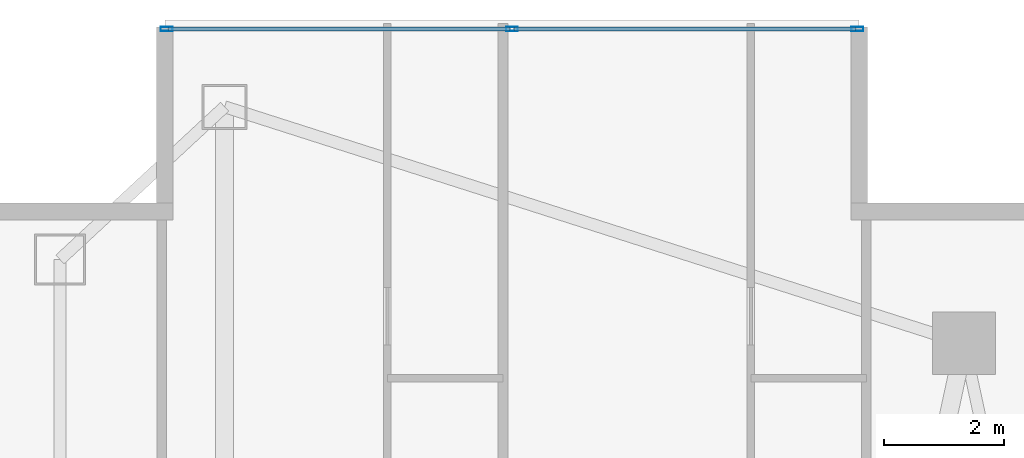
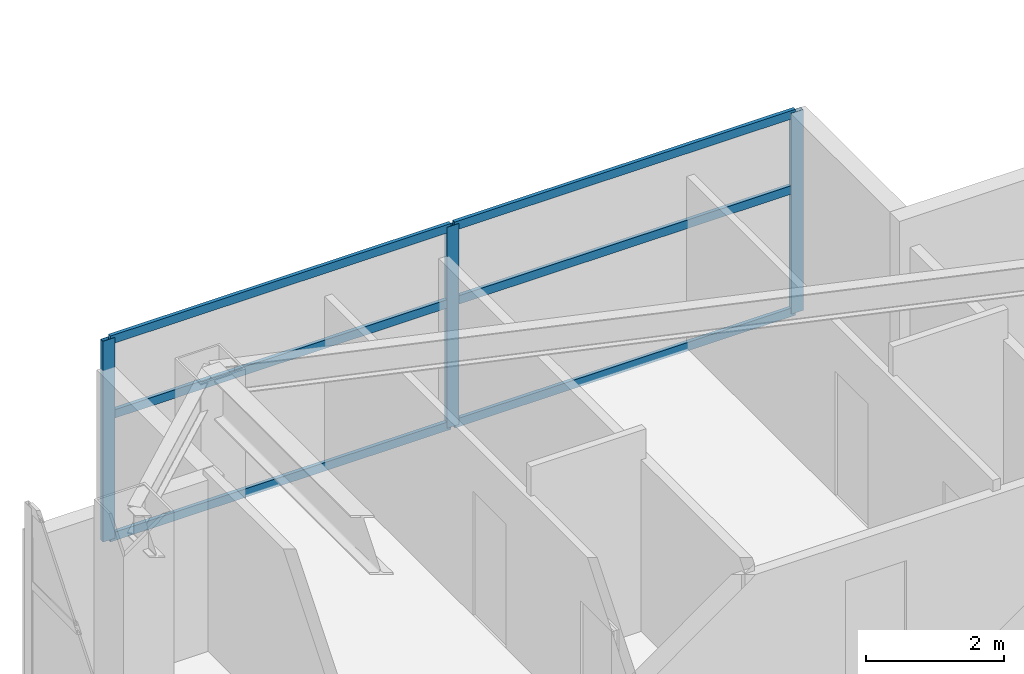
# One storey, part 19 of 28: 9 members, 1 element without a shape of its own.
"""IFC4 building model written with IfcOpenShell, lengths in metres."""

from ifc_helpers import new_model, si_unit, direction, frame, origin, origin_2d, place, context, subcontext, project, spatial, hollow_rectangle, extrude, material, layer, layer_set, material_profile, profile_set, type_object, element, aggregate, save


model = new_model("IFC4")

# Units and contexts
model_context = context("Model", 3, precision=1e-05, world=origin(), true_north=direction((0.0, 1.0)))
body_context = subcontext(model_context, "Body", "Model", "MODEL_VIEW")
ifc_project = project(units=[si_unit("LENGTHUNIT", "METRE"), si_unit("AREAUNIT", "SQUARE_METRE"), si_unit("VOLUMEUNIT", "CUBIC_METRE"), si_unit("PLANEANGLEUNIT", "RADIAN"), si_unit("MASSUNIT", "GRAM", prefix="KILO")], contexts=[model_context])

# Site, building, storey
site_placement = place(None, origin())
site = spatial("IfcSite", under=ifc_project, at=site_placement, CompositionType="ELEMENT")
building_placement = place(site_placement, origin())
building = spatial("IfcBuilding", under=site, at=building_placement, Name="Calvorn Quay Hotel", CompositionType="ELEMENT")
storey_placement = place(building_placement, frame((0.0, 0.0, 97.39990234375)))
storey = spatial("IfcBuildingStorey", under=building, at=storey_placement, Name="L23", CompositionType="ELEMENT", Elevation=97.39990234375)

# Curtain wall, members
ifc_material_1 = material(Name="Pale Anodised Aluminium and Low-E Glass", Category="aluminium")
ifc_layer = layer(ifc_material_1, 0.219970703125)
ifc_layer_set = layer_set([ifc_layer], Name="CW-SYS-Z2")
curtain_wall_type = type_object("IfcCurtainWallType", Name="CW-SYS-Z2", PredefinedType="NOTDEFINED", material=ifc_layer_set)
curtain_wall_placement = place(storey_placement, origin())
curtain_wall = element("IfcCurtainWall", 1, at=curtain_wall_placement, inside=storey, type_object=curtain_wall_type, Name="Inner Court Curtain Wall L23-N1", PredefinedType="NOTDEFINED")
ifc_material_2 = material(Name="Pale Anodised Aluminium 6063-T6", Category="aluminium")
ifc_material_profile_1 = material_profile(ifc_material_2, hollow_rectangle(XDim=0.070068359375, YDim=0.199951171875, WallThickness=0.00390625, at=origin_2d()), Name="ALU-M200x70x4")
ifc_profile_set_1 = profile_set([ifc_material_profile_1], Name="Pale Anodised Aluminium 6063-T6")
member_type_1 = type_object("IfcMemberType", Name="CW-SYS-Z2-MUL", PredefinedType="MULLION", material=ifc_profile_set_1)
member_1_placement = place(storey_placement, frame((14.77001953125, 50.85009765625, 0.0), z_axis=(0.0, 0.0, 1.0), x_axis=(0.0, -1.0, 0.0)))
member_1 = element("IfcMember", 2, at=member_1_placement, type_object=member_type_1, Name="CW-L23-N1 mullion 1", PredefinedType="MULLION", context=body_context, shape_type="SweptSolid", body=[
    extrude(hollow_rectangle(XDim=0.070068359375, YDim=0.199951171875, WallThickness=0.00390625, at=origin_2d()), origin(), (0.0, 0.0, 1.0), 3.56005859375),
])
member_2_placement = place(storey_placement, frame((9.0, 50.85009765625, 0.0), z_axis=(0.0, 0.0, 1.0), x_axis=(0.0, -1.0, 0.0)))
member_2 = element("IfcMember", 3, at=member_2_placement, type_object=member_type_1, Name="CW-L23-N1 mullion 2", PredefinedType="MULLION", context=body_context, shape_type="SweptSolid", body=[
    extrude(hollow_rectangle(XDim=0.070068359375, YDim=0.199951171875, WallThickness=0.00390625, at=origin_2d()), origin(), (0.0, 0.0, 1.0), 3.56005859375),
])
member_3_placement = place(storey_placement, frame((3.22998046875, 50.85009765625, 0.0), z_axis=(0.0, 0.0, 1.0), x_axis=(0.0, -1.0, 0.0)))
member_3 = element("IfcMember", 4, at=member_3_placement, type_object=member_type_1, Name="CW-L23-N1 mullion 3", PredefinedType="MULLION", context=body_context, shape_type="SweptSolid", body=[
    extrude(hollow_rectangle(XDim=0.070068359375, YDim=0.199951171875, WallThickness=0.00390625, at=origin_2d()), origin(), (0.0, 0.0, 1.0), 3.56005859375),
])
ifc_material_3 = material(Name="Pale Anodised Aluminium 6063-T6", Category="aluminium")
ifc_material_profile_2 = material_profile(ifc_material_3, hollow_rectangle(XDim=0.06005859375, YDim=0.14990234375, WallThickness=0.00341796875, at=origin_2d()), Name="ALU-T150x60x3.5")
ifc_profile_set_2 = profile_set([ifc_material_profile_2], Name="Pale Anodised Aluminium 6063-T6")
member_type_2 = type_object("IfcMemberType", Name="CW-SYS-Z2-TRN", PredefinedType="USERDEFINED", material=ifc_profile_set_2)
member_4_placement = place(storey_placement, frame((14.739990234375, 50.85009765625, 0.030029296875), z_axis=(-1.0, 0.0, 0.0), x_axis=(0.0, -1.0, 0.0)))
member_4 = element("IfcMember", 5, at=member_4_placement, type_object=member_type_2, Name="CW-L23-N1 transom 1.1", ObjectType="TRANSOM", PredefinedType="USERDEFINED", context=body_context, shape_type="SweptSolid", body=[
    extrude(hollow_rectangle(XDim=0.06005859375, YDim=0.14990234375, WallThickness=0.00341796875, at=origin_2d()), origin(), (0.0, 0.0, 1.0), 5.7099609375),
])
member_5_placement = place(storey_placement, frame((14.739990234375, 50.85009765625, 2.2001953125), z_axis=(-1.0, 0.0, 0.0), x_axis=(0.0, -1.0, 0.0)))
member_5 = element("IfcMember", 6, at=member_5_placement, type_object=member_type_2, Name="CW-L23-N1 transom 1.2", ObjectType="TRANSOM", PredefinedType="USERDEFINED", context=body_context, shape_type="SweptSolid", body=[
    extrude(hollow_rectangle(XDim=0.06005859375, YDim=0.14990234375, WallThickness=0.00341796875, at=origin_2d()), origin(), (0.0, 0.0, 1.0), 5.7099609375),
])
member_6_placement = place(storey_placement, frame((14.739990234375, 50.85009765625, 3.530029296875), z_axis=(-1.0, 0.0, 0.0), x_axis=(0.0, -1.0, 0.0)))
member_6 = element("IfcMember", 7, at=member_6_placement, type_object=member_type_2, Name="CW-L23-N1 transom 1.3", ObjectType="TRANSOM", PredefinedType="USERDEFINED", context=body_context, shape_type="SweptSolid", body=[
    extrude(hollow_rectangle(XDim=0.06005859375, YDim=0.14990234375, WallThickness=0.00341796875, at=origin_2d()), origin(), (0.0, 0.0, 1.0), 5.7099609375),
])
member_7_placement = place(storey_placement, frame((8.969970703125, 50.85009765625, 0.030029296875), z_axis=(-1.0, 0.0, 0.0), x_axis=(0.0, -1.0, 0.0)))
member_7 = element("IfcMember", 8, at=member_7_placement, type_object=member_type_2, Name="CW-L23-N1 transom 2.1", ObjectType="TRANSOM", PredefinedType="USERDEFINED", context=body_context, shape_type="SweptSolid", body=[
    extrude(hollow_rectangle(XDim=0.06005859375, YDim=0.14990234375, WallThickness=0.00341796875, at=origin_2d()), origin(), (0.0, 0.0, 1.0), 5.7099609375),
])
member_8_placement = place(storey_placement, frame((8.969970703125, 50.85009765625, 2.2001953125), z_axis=(-1.0, 0.0, 0.0), x_axis=(0.0, -1.0, 0.0)))
member_8 = element("IfcMember", 9, at=member_8_placement, type_object=member_type_2, Name="CW-L23-N1 transom 2.2", ObjectType="TRANSOM", PredefinedType="USERDEFINED", context=body_context, shape_type="SweptSolid", body=[
    extrude(hollow_rectangle(XDim=0.06005859375, YDim=0.14990234375, WallThickness=0.00341796875, at=origin_2d()), origin(), (0.0, 0.0, 1.0), 5.7099609375),
])
member_9_placement = place(storey_placement, frame((8.969970703125, 50.85009765625, 3.530029296875), z_axis=(-1.0, 0.0, 0.0), x_axis=(0.0, -1.0, 0.0)))
member_9 = element("IfcMember", 10, at=member_9_placement, type_object=member_type_2, Name="CW-L23-N1 transom 2.3", ObjectType="TRANSOM", PredefinedType="USERDEFINED", context=body_context, shape_type="SweptSolid", body=[
    extrude(hollow_rectangle(XDim=0.06005859375, YDim=0.14990234375, WallThickness=0.00341796875, at=origin_2d()), origin(), (0.0, 0.0, 1.0), 5.7099609375),
])
aggregate(curtain_wall, [member_1, member_2, member_3, member_4, member_5, member_6, member_7, member_8, member_9])

save(model, "model.ifc")
